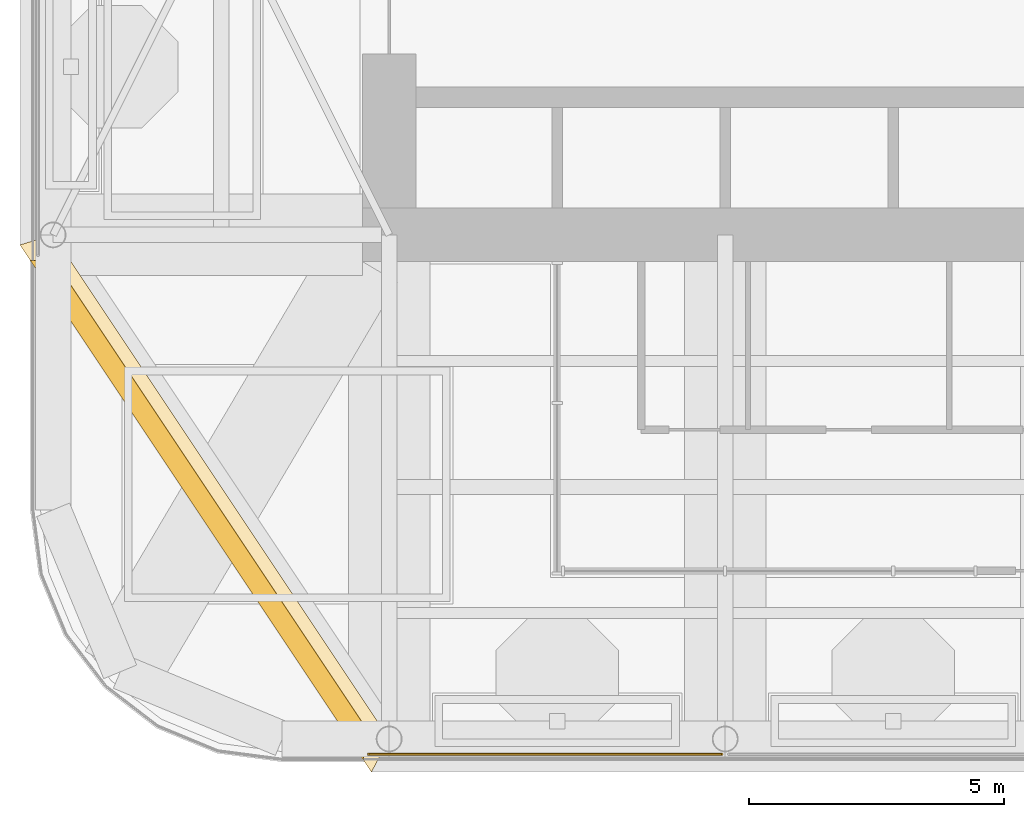
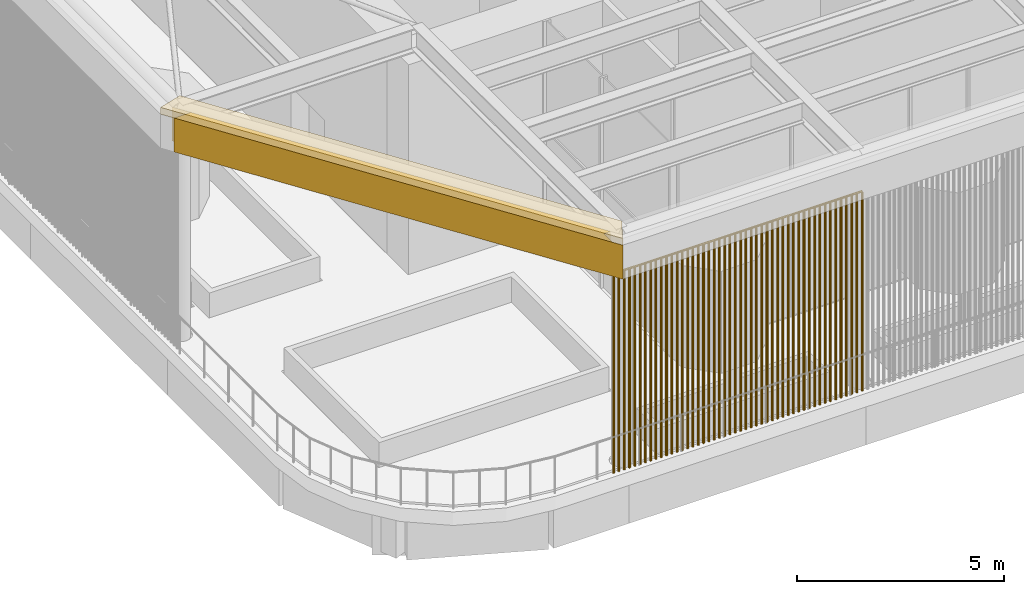
# One storey, part 8 of 22: 3 coverings.
"""IFC4 building model written with IfcOpenShell, lengths in metres."""

from ifc_helpers import new_model, si_unit, direction, frame, origin, place, context, subcontext, project, spatial, polyline, outline, extrude, material, layer, layer_set, type_object, element, save


model = new_model("IFC4")

# Units and contexts
model_context = context("Model", 3, precision=1e-05, world=origin(), true_north=direction((0.0, 1.0)))
body_context = subcontext(model_context, "Body", "Model", "MODEL_VIEW")
ifc_project = project(units=[si_unit("LENGTHUNIT", "METRE"), si_unit("AREAUNIT", "SQUARE_METRE"), si_unit("VOLUMEUNIT", "CUBIC_METRE"), si_unit("PLANEANGLEUNIT", "RADIAN"), si_unit("MASSUNIT", "GRAM", prefix="KILO")], contexts=[model_context])

# Site, building, storey
site_placement = place(None, origin())
site = spatial("IfcSite", under=ifc_project, at=site_placement, CompositionType="ELEMENT")
building_placement = place(site_placement, origin())
building = spatial("IfcBuilding", under=site, at=building_placement, Name="Cobogo Forest Laboratory Tower", CompositionType="ELEMENT")
storey_placement = place(building_placement, frame((0.0, 0.0, 292.800048828125)))
storey = spatial("IfcBuildingStorey", under=building, at=storey_placement, Name="RF", CompositionType="ELEMENT", Elevation=292.800048828125)

# Coverings
ifc_material_1 = material(Name="Terracotta rainscreen panels on steel brackets", Category="masonry")
ifc_layer_1 = layer(ifc_material_1, 0.389892578125)
ifc_layer_set_1 = layer_set([ifc_layer_1], Name="CF1 crown terracotta fascia 390")
covering_type_1 = type_object("IfcCoveringType", Name="CF1 crown terracotta fascia 390", PredefinedType="CLADDING", material=ifc_layer_set_1)
covering_1_placement = place(storey_placement, frame((0.0, 0.0, 5.89990234375)))
element("IfcCovering", 1, at=covering_1_placement, inside=storey, type_object=covering_type_1, Name="Crown fascia SW", PredefinedType="CLADDING", context=body_context, shape_type="SweptSolid", body=[
    extrude(outline(polyline([(6.152099609375, 12.699951171875), (12.85205078125, 2.64990234375), (12.699951171875, 2.878173828125), (12.699951171875, 3.300048828125), (12.887451171875, 3.300048828125), (13.060791015625, 3.0400390625), (6.340087890625, 13.121337890625), (6.60009765625, 12.731201171875), (6.60009765625, 12.699951171875), (6.152099609375, 12.699951171875)])), origin(), (0.0, 0.0, 1.0), 1.00048828125),
])
ifc_material_2 = material(Name="Terracotta coping on steel brackets", Category="masonry")
ifc_layer_2 = layer(ifc_material_2, 0.199951171875)
ifc_layer_set_2 = layer_set([ifc_layer_2], Name="CF2 crown fascia coping 650")
covering_type_2 = type_object("IfcCoveringType", Name="CF2 crown fascia coping 650", PredefinedType="CLADDING", material=ifc_layer_set_2)
covering_2_placement = place(storey_placement, frame((0.0, 0.0, 6.900390625)))
element("IfcCovering", 2, at=covering_2_placement, inside=storey, type_object=covering_type_2, Name="Crown fascia coping SW", PredefinedType="CLADDING", context=body_context, shape_type="SweptSolid", body=[
    extrude(outline(polyline([(6.60009765625, 13.199951171875), (5.949951171875, 13.003173828125), (12.85205078125, 2.64990234375), (13.199951171875, 3.300048828125), (6.60009765625, 13.199951171875)])), origin(), (0.0, 0.0, 1.0), 0.199462890625),
])
ifc_material_3 = material(Name="Terracotta baguettes on a galvanised steel top rail", Category="masonry")
covering_type_3 = type_object("IfcCoveringType", Name="CS1 crown terracotta baguette screen", PredefinedType="CLADDING", material=ifc_material_3)
covering_3_placement = place(storey_placement, frame((12.800048828125, 3.0, -0.0009765625)))
element("IfcCovering", 3, at=covering_3_placement, inside=storey, type_object=covering_type_3, Name="Crown screen S1", PredefinedType="CLADDING", context=body_context, shape_type="SweptSolid", body=[
    extrude(outline(polyline([(0.02880859375, 0.011962890625), (0.011962890625, 0.02880859375), (-0.011962890625, 0.02880859375), (-0.02880859375, 0.011962890625), (-0.02880859375, -0.011962890625), (-0.011962890625, -0.02880859375), (0.011962890625, -0.02880859375), (0.02880859375, -0.011962890625), (0.02880859375, 0.011962890625)])), frame((0.0, 0.0, 5.873046875), z_axis=(1.0, 0.0, 0.0), x_axis=(0.0, 1.0, 0.0)), (0.0, 0.0, 1.0), 6.925048828125),
    extrude(outline(polyline([(0.02880859375, 0.011962890625), (0.011962890625, 0.02880859375), (-0.011962890625, 0.02880859375), (-0.02880859375, 0.011962890625), (-0.02880859375, -0.011962890625), (-0.011962890625, -0.02880859375), (0.011962890625, -0.02880859375), (0.02880859375, -0.011962890625), (0.02880859375, 0.011962890625)])), origin(), (0.0, 0.0, 1.0), 5.841796875),
    extrude(outline(polyline([(0.02880859375, 0.011962890625), (0.011962890625, 0.02880859375), (-0.011962890625, 0.02880859375), (-0.02880859375, 0.011962890625), (-0.02880859375, -0.011962890625), (-0.011962890625, -0.02880859375), (0.011962890625, -0.02880859375), (0.02880859375, -0.011962890625), (0.02880859375, 0.011962890625)])), frame((0.1474609375, 0.0, 0.0)), (0.0, 0.0, 1.0), 5.841796875),
    extrude(outline(polyline([(0.02880859375, 0.011962890625), (0.011962890625, 0.02880859375), (-0.011962890625, 0.02880859375), (-0.02880859375, 0.011962890625), (-0.02880859375, -0.011962890625), (-0.011962890625, -0.02880859375), (0.011962890625, -0.02880859375), (0.02880859375, -0.011962890625), (0.02880859375, 0.011962890625)])), frame((0.294677734375, 0.0, 0.0)), (0.0, 0.0, 1.0), 5.841796875),
    extrude(outline(polyline([(0.02880859375, 0.011962890625), (0.011962890625, 0.02880859375), (-0.011962890625, 0.02880859375), (-0.02880859375, 0.011962890625), (-0.02880859375, -0.011962890625), (-0.011962890625, -0.02880859375), (0.011962890625, -0.02880859375), (0.02880859375, -0.011962890625), (0.02880859375, 0.011962890625)])), frame((0.442138671875, 0.0, 0.0)), (0.0, 0.0, 1.0), 5.841796875),
    extrude(outline(polyline([(0.02880859375, 0.011962890625), (0.011962890625, 0.02880859375), (-0.011962890625, 0.02880859375), (-0.02880859375, 0.011962890625), (-0.02880859375, -0.011962890625), (-0.011962890625, -0.02880859375), (0.011962890625, -0.02880859375), (0.02880859375, -0.011962890625), (0.02880859375, 0.011962890625)])), frame((0.58935546875, 0.0, 0.0)), (0.0, 0.0, 1.0), 5.841796875),
    extrude(outline(polyline([(0.02880859375, 0.011962890625), (0.011962890625, 0.02880859375), (-0.011962890625, 0.02880859375), (-0.02880859375, 0.011962890625), (-0.02880859375, -0.011962890625), (-0.011962890625, -0.02880859375), (0.011962890625, -0.02880859375), (0.02880859375, -0.011962890625), (0.02880859375, 0.011962890625)])), frame((0.73681640625, 0.0, 0.0)), (0.0, 0.0, 1.0), 5.841796875),
    extrude(outline(polyline([(0.02880859375, 0.011962890625), (0.011962890625, 0.02880859375), (-0.011962890625, 0.02880859375), (-0.02880859375, 0.011962890625), (-0.02880859375, -0.011962890625), (-0.011962890625, -0.02880859375), (0.011962890625, -0.02880859375), (0.02880859375, -0.011962890625), (0.02880859375, 0.011962890625)])), frame((0.884033203125, 0.0, 0.0)), (0.0, 0.0, 1.0), 5.841796875),
    extrude(outline(polyline([(0.02880859375, 0.011962890625), (0.011962890625, 0.02880859375), (-0.011962890625, 0.02880859375), (-0.02880859375, 0.011962890625), (-0.02880859375, -0.011962890625), (-0.011962890625, -0.02880859375), (0.011962890625, -0.02880859375), (0.02880859375, -0.011962890625), (0.02880859375, 0.011962890625)])), frame((1.031494140625, 0.0, 0.0)), (0.0, 0.0, 1.0), 5.841796875),
    extrude(outline(polyline([(0.02880859375, 0.011962890625), (0.011962890625, 0.02880859375), (-0.011962890625, 0.02880859375), (-0.02880859375, 0.011962890625), (-0.02880859375, -0.011962890625), (-0.011962890625, -0.02880859375), (0.011962890625, -0.02880859375), (0.02880859375, -0.011962890625), (0.02880859375, 0.011962890625)])), frame((1.1787109375, 0.0, 0.0)), (0.0, 0.0, 1.0), 5.841796875),
    extrude(outline(polyline([(0.02880859375, 0.011962890625), (0.011962890625, 0.02880859375), (-0.011962890625, 0.02880859375), (-0.02880859375, 0.011962890625), (-0.02880859375, -0.011962890625), (-0.011962890625, -0.02880859375), (0.011962890625, -0.02880859375), (0.02880859375, -0.011962890625), (0.02880859375, 0.011962890625)])), frame((1.326171875, 0.0, 0.0)), (0.0, 0.0, 1.0), 5.841796875),
    extrude(outline(polyline([(0.02880859375, 0.011962890625), (0.011962890625, 0.02880859375), (-0.011962890625, 0.02880859375), (-0.02880859375, 0.011962890625), (-0.02880859375, -0.011962890625), (-0.011962890625, -0.02880859375), (0.011962890625, -0.02880859375), (0.02880859375, -0.011962890625), (0.02880859375, 0.011962890625)])), frame((1.473388671875, 0.0, 0.0)), (0.0, 0.0, 1.0), 5.841796875),
    extrude(outline(polyline([(0.02880859375, 0.011962890625), (0.011962890625, 0.02880859375), (-0.011962890625, 0.02880859375), (-0.02880859375, 0.011962890625), (-0.02880859375, -0.011962890625), (-0.011962890625, -0.02880859375), (0.011962890625, -0.02880859375), (0.02880859375, -0.011962890625), (0.02880859375, 0.011962890625)])), frame((1.620849609375, 0.0, 0.0)), (0.0, 0.0, 1.0), 5.841796875),
    extrude(outline(polyline([(0.02880859375, 0.011962890625), (0.011962890625, 0.02880859375), (-0.011962890625, 0.02880859375), (-0.02880859375, 0.011962890625), (-0.02880859375, -0.011962890625), (-0.011962890625, -0.02880859375), (0.011962890625, -0.02880859375), (0.02880859375, -0.011962890625), (0.02880859375, 0.011962890625)])), frame((1.76806640625, 0.0, 0.0)), (0.0, 0.0, 1.0), 5.841796875),
    extrude(outline(polyline([(0.02880859375, 0.011962890625), (0.011962890625, 0.02880859375), (-0.011962890625, 0.02880859375), (-0.02880859375, 0.011962890625), (-0.02880859375, -0.011962890625), (-0.011962890625, -0.02880859375), (0.011962890625, -0.02880859375), (0.02880859375, -0.011962890625), (0.02880859375, 0.011962890625)])), frame((1.91552734375, 0.0, 0.0)), (0.0, 0.0, 1.0), 5.841796875),
    extrude(outline(polyline([(0.02880859375, 0.011962890625), (0.011962890625, 0.02880859375), (-0.011962890625, 0.02880859375), (-0.02880859375, 0.011962890625), (-0.02880859375, -0.011962890625), (-0.011962890625, -0.02880859375), (0.011962890625, -0.02880859375), (0.02880859375, -0.011962890625), (0.02880859375, 0.011962890625)])), frame((2.062744140625, 0.0, 0.0)), (0.0, 0.0, 1.0), 5.841796875),
    extrude(outline(polyline([(0.02880859375, 0.011962890625), (0.011962890625, 0.02880859375), (-0.011962890625, 0.02880859375), (-0.02880859375, 0.011962890625), (-0.02880859375, -0.011962890625), (-0.011962890625, -0.02880859375), (0.011962890625, -0.02880859375), (0.02880859375, -0.011962890625), (0.02880859375, 0.011962890625)])), frame((2.210205078125, 0.0, 0.0)), (0.0, 0.0, 1.0), 5.841796875),
    extrude(outline(polyline([(0.02880859375, 0.011962890625), (0.011962890625, 0.02880859375), (-0.011962890625, 0.02880859375), (-0.02880859375, 0.011962890625), (-0.02880859375, -0.011962890625), (-0.011962890625, -0.02880859375), (0.011962890625, -0.02880859375), (0.02880859375, -0.011962890625), (0.02880859375, 0.011962890625)])), frame((2.357421875, 0.0, 0.0)), (0.0, 0.0, 1.0), 5.841796875),
    extrude(outline(polyline([(0.02880859375, 0.011962890625), (0.011962890625, 0.02880859375), (-0.011962890625, 0.02880859375), (-0.02880859375, 0.011962890625), (-0.02880859375, -0.011962890625), (-0.011962890625, -0.02880859375), (0.011962890625, -0.02880859375), (0.02880859375, -0.011962890625), (0.02880859375, 0.011962890625)])), frame((2.5048828125, 0.0, 0.0)), (0.0, 0.0, 1.0), 5.841796875),
    extrude(outline(polyline([(0.02880859375, 0.011962890625), (0.011962890625, 0.02880859375), (-0.011962890625, 0.02880859375), (-0.02880859375, 0.011962890625), (-0.02880859375, -0.011962890625), (-0.011962890625, -0.02880859375), (0.011962890625, -0.02880859375), (0.02880859375, -0.011962890625), (0.02880859375, 0.011962890625)])), frame((2.652099609375, 0.0, 0.0)), (0.0, 0.0, 1.0), 5.841796875),
    extrude(outline(polyline([(0.02880859375, 0.011962890625), (0.011962890625, 0.02880859375), (-0.011962890625, 0.02880859375), (-0.02880859375, 0.011962890625), (-0.02880859375, -0.011962890625), (-0.011962890625, -0.02880859375), (0.011962890625, -0.02880859375), (0.02880859375, -0.011962890625), (0.02880859375, 0.011962890625)])), frame((2.799560546875, 0.0, 0.0)), (0.0, 0.0, 1.0), 5.841796875),
    extrude(outline(polyline([(0.02880859375, 0.011962890625), (0.011962890625, 0.02880859375), (-0.011962890625, 0.02880859375), (-0.02880859375, 0.011962890625), (-0.02880859375, -0.011962890625), (-0.011962890625, -0.02880859375), (0.011962890625, -0.02880859375), (0.02880859375, -0.011962890625), (0.02880859375, 0.011962890625)])), frame((2.94677734375, 0.0, 0.0)), (0.0, 0.0, 1.0), 5.841796875),
    extrude(outline(polyline([(0.02880859375, 0.011962890625), (0.011962890625, 0.02880859375), (-0.011962890625, 0.02880859375), (-0.02880859375, 0.011962890625), (-0.02880859375, -0.011962890625), (-0.011962890625, -0.02880859375), (0.011962890625, -0.02880859375), (0.02880859375, -0.011962890625), (0.02880859375, 0.011962890625)])), frame((3.09423828125, 0.0, 0.0)), (0.0, 0.0, 1.0), 5.841796875),
    extrude(outline(polyline([(0.02880859375, 0.011962890625), (0.011962890625, 0.02880859375), (-0.011962890625, 0.02880859375), (-0.02880859375, 0.011962890625), (-0.02880859375, -0.011962890625), (-0.011962890625, -0.02880859375), (0.011962890625, -0.02880859375), (0.02880859375, -0.011962890625), (0.02880859375, 0.011962890625)])), frame((3.241455078125, 0.0, 0.0)), (0.0, 0.0, 1.0), 5.841796875),
    extrude(outline(polyline([(0.02880859375, 0.011962890625), (0.011962890625, 0.02880859375), (-0.011962890625, 0.02880859375), (-0.02880859375, 0.011962890625), (-0.02880859375, -0.011962890625), (-0.011962890625, -0.02880859375), (0.011962890625, -0.02880859375), (0.02880859375, -0.011962890625), (0.02880859375, 0.011962890625)])), frame((3.388916015625, 0.0, 0.0)), (0.0, 0.0, 1.0), 5.841796875),
    extrude(outline(polyline([(0.02880859375, 0.011962890625), (0.011962890625, 0.02880859375), (-0.011962890625, 0.02880859375), (-0.02880859375, 0.011962890625), (-0.02880859375, -0.011962890625), (-0.011962890625, -0.02880859375), (0.011962890625, -0.02880859375), (0.02880859375, -0.011962890625), (0.02880859375, 0.011962890625)])), frame((3.5361328125, 0.0, 0.0)), (0.0, 0.0, 1.0), 5.841796875),
    extrude(outline(polyline([(0.02880859375, 0.011962890625), (0.011962890625, 0.02880859375), (-0.011962890625, 0.02880859375), (-0.02880859375, 0.011962890625), (-0.02880859375, -0.011962890625), (-0.011962890625, -0.02880859375), (0.011962890625, -0.02880859375), (0.02880859375, -0.011962890625), (0.02880859375, 0.011962890625)])), frame((3.68359375, 0.0, 0.0)), (0.0, 0.0, 1.0), 5.841796875),
    extrude(outline(polyline([(0.02880859375, 0.011962890625), (0.011962890625, 0.02880859375), (-0.011962890625, 0.02880859375), (-0.02880859375, 0.011962890625), (-0.02880859375, -0.011962890625), (-0.011962890625, -0.02880859375), (0.011962890625, -0.02880859375), (0.02880859375, -0.011962890625), (0.02880859375, 0.011962890625)])), frame((3.830810546875, 0.0, 0.0)), (0.0, 0.0, 1.0), 5.841796875),
    extrude(outline(polyline([(0.02880859375, 0.011962890625), (0.011962890625, 0.02880859375), (-0.011962890625, 0.02880859375), (-0.02880859375, 0.011962890625), (-0.02880859375, -0.011962890625), (-0.011962890625, -0.02880859375), (0.011962890625, -0.02880859375), (0.02880859375, -0.011962890625), (0.02880859375, 0.011962890625)])), frame((3.978271484375, 0.0, 0.0)), (0.0, 0.0, 1.0), 5.841796875),
    extrude(outline(polyline([(0.02880859375, 0.011962890625), (0.011962890625, 0.02880859375), (-0.011962890625, 0.02880859375), (-0.02880859375, 0.011962890625), (-0.02880859375, -0.011962890625), (-0.011962890625, -0.02880859375), (0.011962890625, -0.02880859375), (0.02880859375, -0.011962890625), (0.02880859375, 0.011962890625)])), frame((4.12548828125, 0.0, 0.0)), (0.0, 0.0, 1.0), 5.841796875),
    extrude(outline(polyline([(0.02880859375, 0.011962890625), (0.011962890625, 0.02880859375), (-0.011962890625, 0.02880859375), (-0.02880859375, 0.011962890625), (-0.02880859375, -0.011962890625), (-0.011962890625, -0.02880859375), (0.011962890625, -0.02880859375), (0.02880859375, -0.011962890625), (0.02880859375, 0.011962890625)])), frame((4.27294921875, 0.0, 0.0)), (0.0, 0.0, 1.0), 5.841796875),
    extrude(outline(polyline([(0.02880859375, 0.011962890625), (0.011962890625, 0.02880859375), (-0.011962890625, 0.02880859375), (-0.02880859375, 0.011962890625), (-0.02880859375, -0.011962890625), (-0.011962890625, -0.02880859375), (0.011962890625, -0.02880859375), (0.02880859375, -0.011962890625), (0.02880859375, 0.011962890625)])), frame((4.420166015625, 0.0, 0.0)), (0.0, 0.0, 1.0), 5.841796875),
    extrude(outline(polyline([(0.02880859375, 0.011962890625), (0.011962890625, 0.02880859375), (-0.011962890625, 0.02880859375), (-0.02880859375, 0.011962890625), (-0.02880859375, -0.011962890625), (-0.011962890625, -0.02880859375), (0.011962890625, -0.02880859375), (0.02880859375, -0.011962890625), (0.02880859375, 0.011962890625)])), frame((4.567626953125, 0.0, 0.0)), (0.0, 0.0, 1.0), 5.841796875),
    extrude(outline(polyline([(0.02880859375, 0.011962890625), (0.011962890625, 0.02880859375), (-0.011962890625, 0.02880859375), (-0.02880859375, 0.011962890625), (-0.02880859375, -0.011962890625), (-0.011962890625, -0.02880859375), (0.011962890625, -0.02880859375), (0.02880859375, -0.011962890625), (0.02880859375, 0.011962890625)])), frame((4.71484375, 0.0, 0.0)), (0.0, 0.0, 1.0), 5.841796875),
    extrude(outline(polyline([(0.02880859375, 0.011962890625), (0.011962890625, 0.02880859375), (-0.011962890625, 0.02880859375), (-0.02880859375, 0.011962890625), (-0.02880859375, -0.011962890625), (-0.011962890625, -0.02880859375), (0.011962890625, -0.02880859375), (0.02880859375, -0.011962890625), (0.02880859375, 0.011962890625)])), frame((4.8623046875, 0.0, 0.0)), (0.0, 0.0, 1.0), 5.841796875),
    extrude(outline(polyline([(0.02880859375, 0.011962890625), (0.011962890625, 0.02880859375), (-0.011962890625, 0.02880859375), (-0.02880859375, 0.011962890625), (-0.02880859375, -0.011962890625), (-0.011962890625, -0.02880859375), (0.011962890625, -0.02880859375), (0.02880859375, -0.011962890625), (0.02880859375, 0.011962890625)])), frame((5.009521484375, 0.0, 0.0)), (0.0, 0.0, 1.0), 5.841796875),
    extrude(outline(polyline([(0.02880859375, 0.011962890625), (0.011962890625, 0.02880859375), (-0.011962890625, 0.02880859375), (-0.02880859375, 0.011962890625), (-0.02880859375, -0.011962890625), (-0.011962890625, -0.02880859375), (0.011962890625, -0.02880859375), (0.02880859375, -0.011962890625), (0.02880859375, 0.011962890625)])), frame((5.156982421875, 0.0, 0.0)), (0.0, 0.0, 1.0), 5.841796875),
    extrude(outline(polyline([(0.02880859375, 0.011962890625), (0.011962890625, 0.02880859375), (-0.011962890625, 0.02880859375), (-0.02880859375, 0.011962890625), (-0.02880859375, -0.011962890625), (-0.011962890625, -0.02880859375), (0.011962890625, -0.02880859375), (0.02880859375, -0.011962890625), (0.02880859375, 0.011962890625)])), frame((5.30419921875, 0.0, 0.0)), (0.0, 0.0, 1.0), 5.841796875),
    extrude(outline(polyline([(0.02880859375, 0.011962890625), (0.011962890625, 0.02880859375), (-0.011962890625, 0.02880859375), (-0.02880859375, 0.011962890625), (-0.02880859375, -0.011962890625), (-0.011962890625, -0.02880859375), (0.011962890625, -0.02880859375), (0.02880859375, -0.011962890625), (0.02880859375, 0.011962890625)])), frame((5.45166015625, 0.0, 0.0)), (0.0, 0.0, 1.0), 5.841796875),
    extrude(outline(polyline([(0.02880859375, 0.011962890625), (0.011962890625, 0.02880859375), (-0.011962890625, 0.02880859375), (-0.02880859375, 0.011962890625), (-0.02880859375, -0.011962890625), (-0.011962890625, -0.02880859375), (0.011962890625, -0.02880859375), (0.02880859375, -0.011962890625), (0.02880859375, 0.011962890625)])), frame((5.598876953125, 0.0, 0.0)), (0.0, 0.0, 1.0), 5.841796875),
    extrude(outline(polyline([(0.02880859375, 0.011962890625), (0.011962890625, 0.02880859375), (-0.011962890625, 0.02880859375), (-0.02880859375, 0.011962890625), (-0.02880859375, -0.011962890625), (-0.011962890625, -0.02880859375), (0.011962890625, -0.02880859375), (0.02880859375, -0.011962890625), (0.02880859375, 0.011962890625)])), frame((5.746337890625, 0.0, 0.0)), (0.0, 0.0, 1.0), 5.841796875),
    extrude(outline(polyline([(0.02880859375, 0.011962890625), (0.011962890625, 0.02880859375), (-0.011962890625, 0.02880859375), (-0.02880859375, 0.011962890625), (-0.02880859375, -0.011962890625), (-0.011962890625, -0.02880859375), (0.011962890625, -0.02880859375), (0.02880859375, -0.011962890625), (0.02880859375, 0.011962890625)])), frame((5.8935546875, 0.0, 0.0)), (0.0, 0.0, 1.0), 5.841796875),
    extrude(outline(polyline([(0.02880859375, 0.011962890625), (0.011962890625, 0.02880859375), (-0.011962890625, 0.02880859375), (-0.02880859375, 0.011962890625), (-0.02880859375, -0.011962890625), (-0.011962890625, -0.02880859375), (0.011962890625, -0.02880859375), (0.02880859375, -0.011962890625), (0.02880859375, 0.011962890625)])), frame((6.041015625, 0.0, 0.0)), (0.0, 0.0, 1.0), 5.841796875),
    extrude(outline(polyline([(0.02880859375, 0.011962890625), (0.011962890625, 0.02880859375), (-0.011962890625, 0.02880859375), (-0.02880859375, 0.011962890625), (-0.02880859375, -0.011962890625), (-0.011962890625, -0.02880859375), (0.011962890625, -0.02880859375), (0.02880859375, -0.011962890625), (0.02880859375, 0.011962890625)])), frame((6.188232421875, 0.0, 0.0)), (0.0, 0.0, 1.0), 5.841796875),
    extrude(outline(polyline([(0.02880859375, 0.011962890625), (0.011962890625, 0.02880859375), (-0.011962890625, 0.02880859375), (-0.02880859375, 0.011962890625), (-0.02880859375, -0.011962890625), (-0.011962890625, -0.02880859375), (0.011962890625, -0.02880859375), (0.02880859375, -0.011962890625), (0.02880859375, 0.011962890625)])), frame((6.335693359375, 0.0, 0.0)), (0.0, 0.0, 1.0), 5.841796875),
    extrude(outline(polyline([(0.02880859375, 0.011962890625), (0.011962890625, 0.02880859375), (-0.011962890625, 0.02880859375), (-0.02880859375, 0.011962890625), (-0.02880859375, -0.011962890625), (-0.011962890625, -0.02880859375), (0.011962890625, -0.02880859375), (0.02880859375, -0.011962890625), (0.02880859375, 0.011962890625)])), frame((6.48291015625, 0.0, 0.0)), (0.0, 0.0, 1.0), 5.841796875),
    extrude(outline(polyline([(0.02880859375, 0.011962890625), (0.011962890625, 0.02880859375), (-0.011962890625, 0.02880859375), (-0.02880859375, 0.011962890625), (-0.02880859375, -0.011962890625), (-0.011962890625, -0.02880859375), (0.011962890625, -0.02880859375), (0.02880859375, -0.011962890625), (0.02880859375, 0.011962890625)])), frame((6.63037109375, 0.0, 0.0)), (0.0, 0.0, 1.0), 5.841796875),
    extrude(outline(polyline([(0.02880859375, 0.011962890625), (0.011962890625, 0.02880859375), (-0.011962890625, 0.02880859375), (-0.02880859375, 0.011962890625), (-0.02880859375, -0.011962890625), (-0.011962890625, -0.02880859375), (0.011962890625, -0.02880859375), (0.02880859375, -0.011962890625), (0.02880859375, 0.011962890625)])), frame((6.777587890625, 0.0, 0.0)), (0.0, 0.0, 1.0), 5.841796875),
    extrude(outline(polyline([(0.02880859375, 0.011962890625), (0.011962890625, 0.02880859375), (-0.011962890625, 0.02880859375), (-0.02880859375, 0.011962890625), (-0.02880859375, -0.011962890625), (-0.011962890625, -0.02880859375), (0.011962890625, -0.02880859375), (0.02880859375, -0.011962890625), (0.02880859375, 0.011962890625)])), frame((6.925048828125, 0.0, 0.0)), (0.0, 0.0, 1.0), 5.841796875),
])

save(model, "model.ifc")
